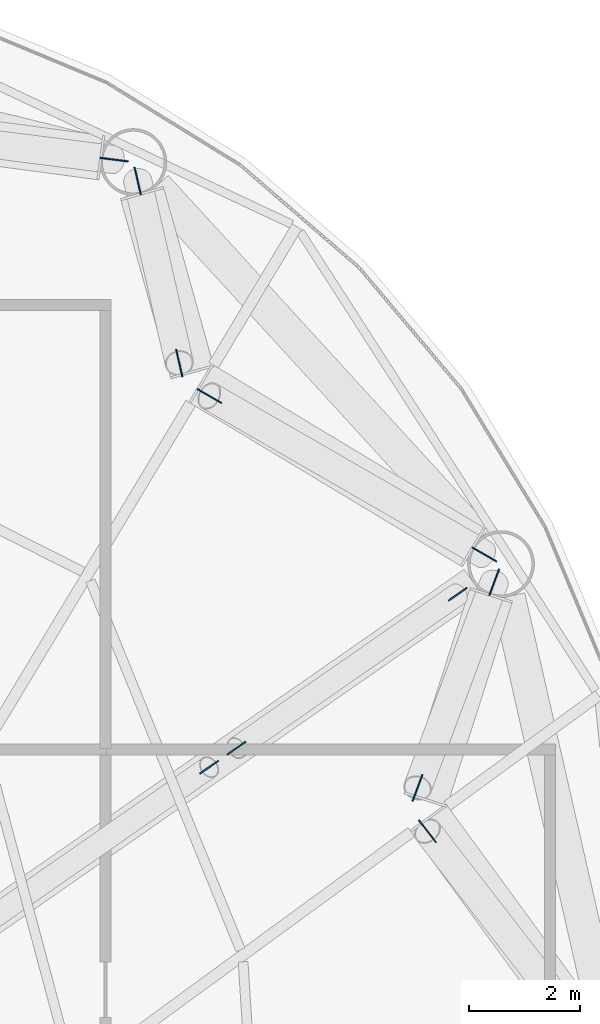
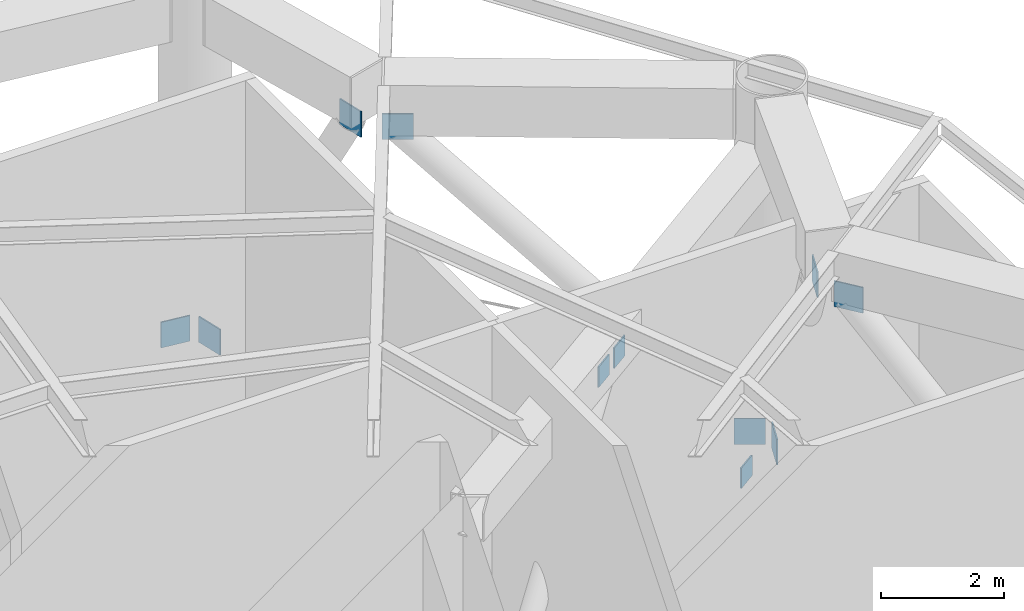
# One storey, part 12 of 15: 11 discrete accessories.
"""IFC4 building model written with IfcOpenShell, lengths in metres."""

from ifc_helpers import new_model, si_unit, direction, frame, origin, origin_2d, place, context, subcontext, project, spatial, rectangle, extrude, element, save


model = new_model("IFC4")

# Units and contexts
model_context = context("Model", 3, precision=1e-05, world=origin(), true_north=direction((0.0, 1.0)))
body_context = subcontext(model_context, "Body", "Model", "MODEL_VIEW")
ifc_project = project(units=[si_unit("LENGTHUNIT", "METRE"), si_unit("AREAUNIT", "SQUARE_METRE"), si_unit("VOLUMEUNIT", "CUBIC_METRE"), si_unit("PLANEANGLEUNIT", "RADIAN"), si_unit("MASSUNIT", "GRAM", prefix="KILO")], contexts=[model_context])

# Site, building, storey
site_placement = place(None, origin())
site = spatial("IfcSite", under=ifc_project, at=site_placement, CompositionType="ELEMENT")
building_placement = place(site_placement, origin())
building = spatial("IfcBuilding", under=site, at=building_placement, Name="Vermilion Reach Broadcast Tower", CompositionType="ELEMENT")
storey_placement = place(building_placement, frame((0.0, 0.0, 246.10009765625)))
storey = spatial("IfcBuildingStorey", under=building, at=storey_placement, Name="L61", CompositionType="ELEMENT", Elevation=246.10009765625)

# Discrete accessories
for number, where, z_axis, x_axis, name in (
    (1, (7.356201171875, 21.4140625, 0.5458984375), (0.0, 0.0, 1.0), (-0.125564070397, -0.992085512557, 0.0), "Gusset plate BT4-D01A foot"),
    (2, (12.994384765625, 9.330322265625, 6.5859375), (0.0, 0.0, 1.0), (-0.790679224452, -0.612230646097, 0.0), "Gusset plate BT4-D15A head"),
    (3, (14.19580078125, 13.809326171875, 0.5458984375), (0.0, 0.0, 1.0), (0.936985043694, -0.349369471898, 0.0), "Gusset plate BT4-D15B foot"),
    (4, (12.816650390625, 10.1103515625, 6.5859375), (0.0, 0.0, 1.0), (0.936985043694, -0.349369471898, 0.0), "Gusset plate BT4-D15B head"),
    (5, (14.014892578125, 14.31201171875, 0.5458984375), (0.0, 0.0, 1.0), (-0.499329996422, -0.866411885118, 0.0), "Gusset plate BT4-D16A foot"),
    (6, (9.069580078125, 17.162109375, 6.5859375), (0.0, 0.0, 1.0), (-0.499329996422, -0.866411885118, 0.0), "Gusset plate BT4-D16A head"),
    (7, (7.781494140625, 21.02880859375, 0.5458984375), (0.0, 0.0, 1.0), (0.974900884412, 0.222639317222, 0.0), "Gusset plate BT4-D16B foot"),
    (8, (8.529541015625, 17.75244140625, 6.5859375), (0.0, 0.0, 1.0), (0.974900884412, 0.222639317222, 0.0), "Gusset plate BT4-D16B head"),
):
    element("IfcDiscreteAccessory", number, at=place(storey_placement, frame(where, z_axis=z_axis, x_axis=x_axis)), inside=storey, Name=name, PredefinedType="NOTDEFINED", context=body_context, shape_type="SweptSolid", body=[
        extrude(rectangle(XDim=0.02490234375, YDim=0.508056640625, at=origin_2d()), origin(), (0.0, 0.0, 1.0), 0.508056640625),
    ])
for number, where, z_axis, x_axis, name in (
    (9, (9.066650390625, 10.483154296875, 5.8466796875), (0.0, 0.0, 1.0), (-0.57114342595, 0.820850282935, 0.0), "Gusset plate OR4-16-DA head"),
    (10, (13.538330078125, 13.5947265625, 0.39697265625), (0.0, 0.0, 1.0), (-0.57114342595, 0.820850282935, 0.0), "Gusset plate OR4-16-DB foot"),
    (11, (9.55908203125, 10.825927734375, 5.8466796875), (0.0, 0.0, 1.0), (-0.57114342595, 0.820850282935, 0.0), "Gusset plate OR4-16-DB head"),
):
    element("IfcDiscreteAccessory", number, at=place(storey_placement, frame(where, z_axis=z_axis, x_axis=x_axis)), inside=storey, Name=name, PredefinedType="NOTDEFINED", context=body_context, shape_type="SweptSolid", body=[
        extrude(rectangle(XDim=0.02490234375, YDim=0.406005859375, at=origin_2d()), origin(), (0.0, 0.0, 1.0), 0.406005859375),
    ])

save(model, "model.ifc")
